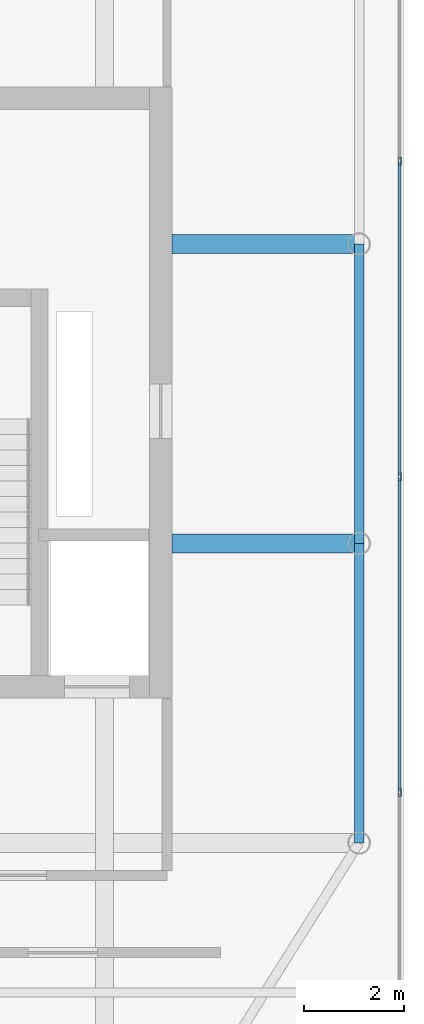
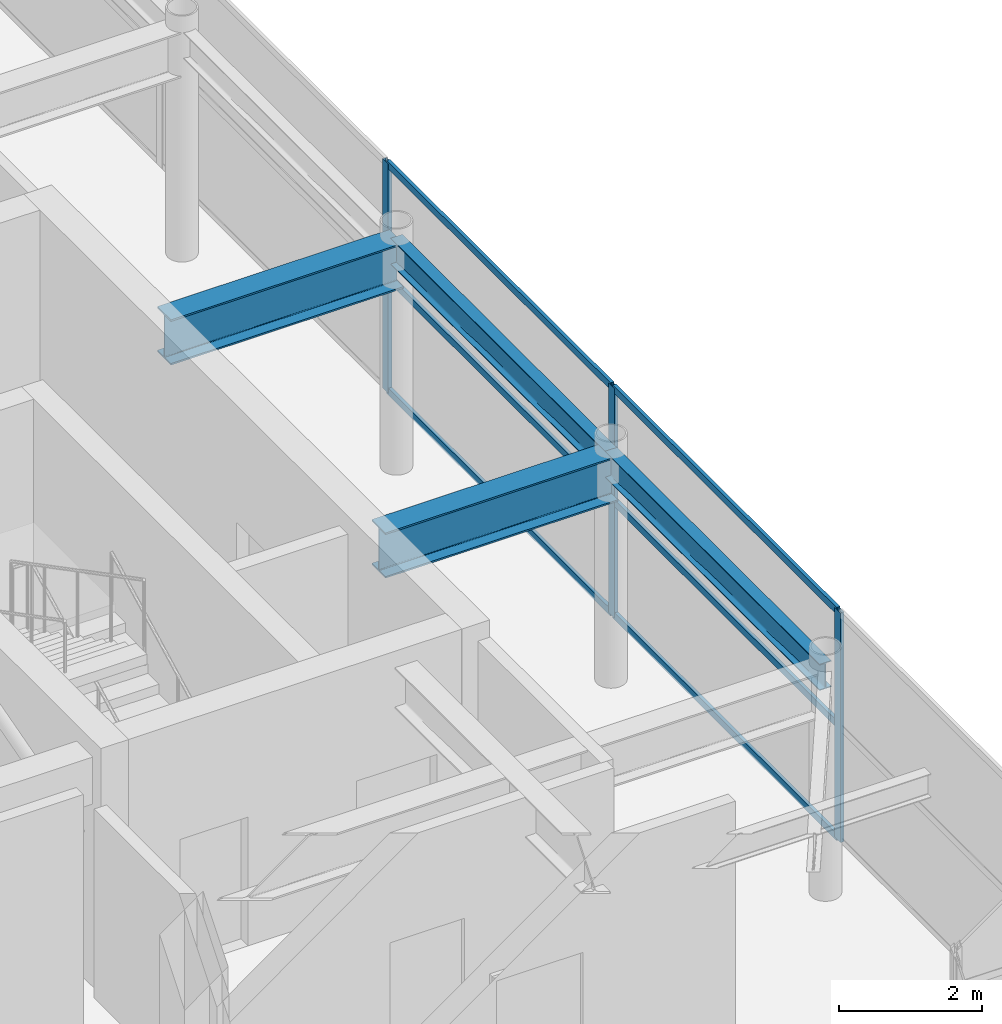
# One storey, part 17 of 32: 9 members, 4 beams, 1 element without a shape of its own.
"""IFC4 building model written with IfcOpenShell, lengths in metres."""

from ifc_helpers import new_model, si_unit, direction, frame, origin, origin_2d, place, context, subcontext, project, spatial, hollow_rectangle, i_section, extrude, source, transform, mapped, material, layer, layer_set, material_profile, profile_set, type_object, element, aggregate, save


model = new_model("IFC4")

# Units and contexts
model_context = context("Model", 3, precision=1e-05, world=origin(), true_north=direction((0.0, 1.0)))
body_context = subcontext(model_context, "Body", "Model", "MODEL_VIEW")
ifc_project = project(units=[si_unit("LENGTHUNIT", "METRE"), si_unit("AREAUNIT", "SQUARE_METRE"), si_unit("VOLUMEUNIT", "CUBIC_METRE"), si_unit("PLANEANGLEUNIT", "RADIAN"), si_unit("MASSUNIT", "GRAM", prefix="KILO")], contexts=[model_context])

# Site, building, storey
site_placement = place(None, origin())
site = spatial("IfcSite", under=ifc_project, at=site_placement, CompositionType="ELEMENT")
building_placement = place(site_placement, origin())
building = spatial("IfcBuilding", under=site, at=building_placement, Name="Khoralis Quay Care Tower", CompositionType="ELEMENT")
storey_placement = place(building_placement, frame((0.0, 0.0, 310.5)))
storey = spatial("IfcBuildingStorey", under=building, at=storey_placement, Name="L81", CompositionType="ELEMENT", Elevation=310.5)

# Beams
ifc_material_1 = material(Name="Steel S355", Category="steel")
ifc_material_profile_1 = material_profile(ifc_material_1, i_section(OverallWidth=0.18994140625, OverallDepth=0.449951171875, WebThickness=0.009521484375, FlangeThickness=0.0146484375, FilletRadius=0.02099609375, at=origin_2d()), Name="Steel S355")
ifc_profile_set_1 = profile_set([ifc_material_profile_1], Name="Steel S355")
beam_type_1 = type_object("IfcBeamType", Name="BM-IPE450", PredefinedType="SPANDREL", material=ifc_profile_set_1)
shared_shape_1 = source(origin(), body_context, "Body", "SweptSolid", [
    extrude(i_section(OverallWidth=0.18994140625, OverallDepth=0.449951171875, WebThickness=0.009521484375, FlangeThickness=0.0146484375, FilletRadius=0.02099609375, at=origin_2d()), origin(), (0.0, 0.0, 1.0), 6.0),
])
for number, where, z_axis, x_axis, name in (
    (1, (41.10009765625, 12.0, 3.695068359375), (0.0, 1.0, 0.0), (-1.0, 0.0, 0.0), "BM-TSP-L81-13"),
    (2, (41.10009765625, 18.0, 3.695068359375), (0.0, 1.0, 0.0), (-1.0, 0.0, 0.0), "BM-TSP-L81-14"),
):
    element("IfcBeam", number, at=place(storey_placement, frame(where, z_axis=z_axis, x_axis=x_axis)), inside=storey, type_object=beam_type_1, Name=name, PredefinedType="SPANDREL", context=body_context, shape_type="MappedRepresentation", body=[
        mapped(shared_shape_1, transform((0.0, 0.0, 0.0), scale=1.0)),
    ])
ifc_material_profile_2 = material_profile(ifc_material_1, i_section(OverallWidth=0.381103515625, OverallDepth=0.77294921875, WebThickness=0.0166015625, FlangeThickness=0.027587890625, FilletRadius=0.02197265625, at=origin_2d()), Name="Steel S355")
ifc_profile_set_2 = profile_set([ifc_material_profile_2], Name="Steel S355")
beam_type_2 = type_object("IfcBeamType", Name="BM-W760X257", PredefinedType="BEAM", material=ifc_profile_set_2)
shared_shape_2 = source(origin(), body_context, "Body", "SweptSolid", [
    extrude(i_section(OverallWidth=0.381103515625, OverallDepth=0.77294921875, WebThickness=0.0166015625, FlangeThickness=0.027587890625, FilletRadius=0.02197265625, at=origin_2d()), origin(), (0.0, 0.0, 1.0), 3.752197265625),
])
for number, where, z_axis, x_axis, name in (
    (3, (37.347900390625, 18.0, 3.533447265625), (1.0, 0.0, 0.0), (0.0, 1.0, 0.0), "BM-TGXE-L81-180"),
    (4, (37.347900390625, 24.0, 3.533447265625), (1.0, 0.0, 0.0), (0.0, 1.0, 0.0), "BM-TGXE-L81-240"),
):
    element("IfcBeam", number, at=place(storey_placement, frame(where, z_axis=z_axis, x_axis=x_axis)), inside=storey, type_object=beam_type_2, Name=name, PredefinedType="BEAM", context=body_context, shape_type="MappedRepresentation", body=[
        mapped(shared_shape_2, transform((0.0, 0.0, 0.0), scale=1.0)),
    ])

# Curtain wall, members
ifc_material_2 = material(Name="Pale anodised aluminium", Category="aluminium")
ifc_layer = layer(ifc_material_2, 0.199951171875)
ifc_layer_set = layer_set([ifc_layer], Name="Pale anodised aluminium")
curtain_wall_type = type_object("IfcCurtainWallType", Name="CW-SYS-LANTERN", PredefinedType="NOTDEFINED", material=ifc_layer_set)
curtain_wall_placement = place(storey_placement, origin())
curtain_wall = element("IfcCurtainWall", 5, at=curtain_wall_placement, inside=storey, type_object=curtain_wall_type, Name="L81 Unitised Curtain Wall CW-LN-L81-06", PredefinedType="NOTDEFINED")
ifc_material_profile_3 = material_profile(ifc_material_2, hollow_rectangle(XDim=0.054931640625, YDim=0.1201171875, WallThickness=0.00390625, at=origin_2d()), Name="Pale anodised aluminium")
ifc_profile_set_3 = profile_set([ifc_material_profile_3], Name="Pale anodised aluminium")
member_type_1 = type_object("IfcMemberType", Name="CW-TRN-120", PredefinedType="USERDEFINED", material=ifc_profile_set_3)
shared_shape_3 = source(origin(), body_context, "Body", "SweptSolid", [
    extrude(hollow_rectangle(XDim=0.054931640625, YDim=0.1201171875, WallThickness=0.00390625, at=origin_2d()), origin(), (0.0, 0.0, 1.0), 6.26416015625),
])
member_1_placement = place(storey_placement, frame((41.909912109375, 13.0439453125, 0.030029296875), z_axis=(0.0, 1.0, 0.0), x_axis=(-1.0, 0.0, 0.0)))
member_1 = element("IfcMember", 6, at=member_1_placement, type_object=member_type_1, Name="CW5 transom 2.1", ObjectType="TRANSOM", PredefinedType="USERDEFINED", context=body_context, shape_type="MappedRepresentation", body=[
    mapped(shared_shape_3, transform((0.0, 0.0, 0.0), scale=1.0)),
])
member_2_placement = place(storey_placement, frame((41.909912109375, 13.0439453125, 1.9599609375), z_axis=(0.0, 1.0, 0.0), x_axis=(-1.0, 0.0, 0.0)))
member_2 = element("IfcMember", 7, at=member_2_placement, type_object=member_type_1, Name="CW5 transom 2.2", ObjectType="TRANSOM", PredefinedType="USERDEFINED", context=body_context, shape_type="MappedRepresentation", body=[
    mapped(shared_shape_3, transform((0.0, 0.0, 0.0), scale=1.0)),
])
member_3_placement = place(storey_placement, frame((41.909912109375, 13.0439453125, 3.889892578125), z_axis=(0.0, 1.0, 0.0), x_axis=(-1.0, 0.0, 0.0)))
member_3 = element("IfcMember", 8, at=member_3_placement, type_object=member_type_1, Name="CW5 transom 2.3", ObjectType="TRANSOM", PredefinedType="USERDEFINED", context=body_context, shape_type="MappedRepresentation", body=[
    mapped(shared_shape_3, transform((0.0, 0.0, 0.0), scale=1.0)),
])
member_4_placement = place(storey_placement, frame((41.909912109375, 19.367919921875, 0.030029296875), z_axis=(0.0, 1.0, 0.0), x_axis=(-1.0, 0.0, 0.0)))
member_4 = element("IfcMember", 9, at=member_4_placement, type_object=member_type_1, Name="CW5 transom 3.1", ObjectType="TRANSOM", PredefinedType="USERDEFINED", context=body_context, shape_type="MappedRepresentation", body=[
    mapped(shared_shape_3, transform((0.0, 0.0, 0.0), scale=1.0)),
])
member_5_placement = place(storey_placement, frame((41.909912109375, 19.367919921875, 1.9599609375), z_axis=(0.0, 1.0, 0.0), x_axis=(-1.0, 0.0, 0.0)))
member_5 = element("IfcMember", 10, at=member_5_placement, type_object=member_type_1, Name="CW5 transom 3.2", ObjectType="TRANSOM", PredefinedType="USERDEFINED", context=body_context, shape_type="MappedRepresentation", body=[
    mapped(shared_shape_3, transform((0.0, 0.0, 0.0), scale=1.0)),
])
member_6_placement = place(storey_placement, frame((41.909912109375, 19.367919921875, 3.889892578125), z_axis=(0.0, 1.0, 0.0), x_axis=(-1.0, 0.0, 0.0)))
member_6 = element("IfcMember", 11, at=member_6_placement, type_object=member_type_1, Name="CW5 transom 3.3", ObjectType="TRANSOM", PredefinedType="USERDEFINED", context=body_context, shape_type="MappedRepresentation", body=[
    mapped(shared_shape_3, transform((0.0, 0.0, 0.0), scale=1.0)),
])
ifc_material_profile_4 = material_profile(ifc_material_2, hollow_rectangle(XDim=0.06005859375, YDim=0.159912109375, WallThickness=0.00390625, at=origin_2d()), Name="Pale anodised aluminium")
ifc_profile_set_4 = profile_set([ifc_material_profile_4], Name="Pale anodised aluminium")
member_type_2 = type_object("IfcMemberType", Name="CW-MUL-160", PredefinedType="MULLION", material=ifc_profile_set_4)
shared_shape_4 = source(origin(), body_context, "Body", "SweptSolid", [
    extrude(hollow_rectangle(XDim=0.06005859375, YDim=0.159912109375, WallThickness=0.00390625, at=origin_2d()), origin(), (0.0, 0.0, 1.0), 3.919921875),
])
member_7_placement = place(storey_placement, frame((41.909912109375, 13.013916015625, 0.0), z_axis=(0.0, 0.0, 1.0), x_axis=(-1.0, 0.0, 0.0)))
member_7 = element("IfcMember", 12, at=member_7_placement, type_object=member_type_2, Name="CW5 mullion 2", PredefinedType="MULLION", context=body_context, shape_type="MappedRepresentation", body=[
    mapped(shared_shape_4, transform((0.0, 0.0, 0.0), scale=1.0)),
])
member_8_placement = place(storey_placement, frame((41.909912109375, 19.337890625, 0.0), z_axis=(0.0, 0.0, 1.0), x_axis=(-1.0, 0.0, 0.0)))
member_8 = element("IfcMember", 13, at=member_8_placement, type_object=member_type_2, Name="CW5 mullion 3", PredefinedType="MULLION", context=body_context, shape_type="MappedRepresentation", body=[
    mapped(shared_shape_4, transform((0.0, 0.0, 0.0), scale=1.0)),
])
member_9_placement = place(storey_placement, frame((41.909912109375, 25.662109375, 0.0), z_axis=(0.0, 0.0, 1.0), x_axis=(-1.0, 0.0, 0.0)))
member_9 = element("IfcMember", 14, at=member_9_placement, type_object=member_type_2, Name="CW5 mullion 4", PredefinedType="MULLION", context=body_context, shape_type="MappedRepresentation", body=[
    mapped(shared_shape_4, transform((0.0, 0.0, 0.0), scale=1.0)),
])
aggregate(curtain_wall, [member_7, member_8, member_9, member_1, member_2, member_3, member_4, member_5, member_6])

save(model, "model.ifc")
